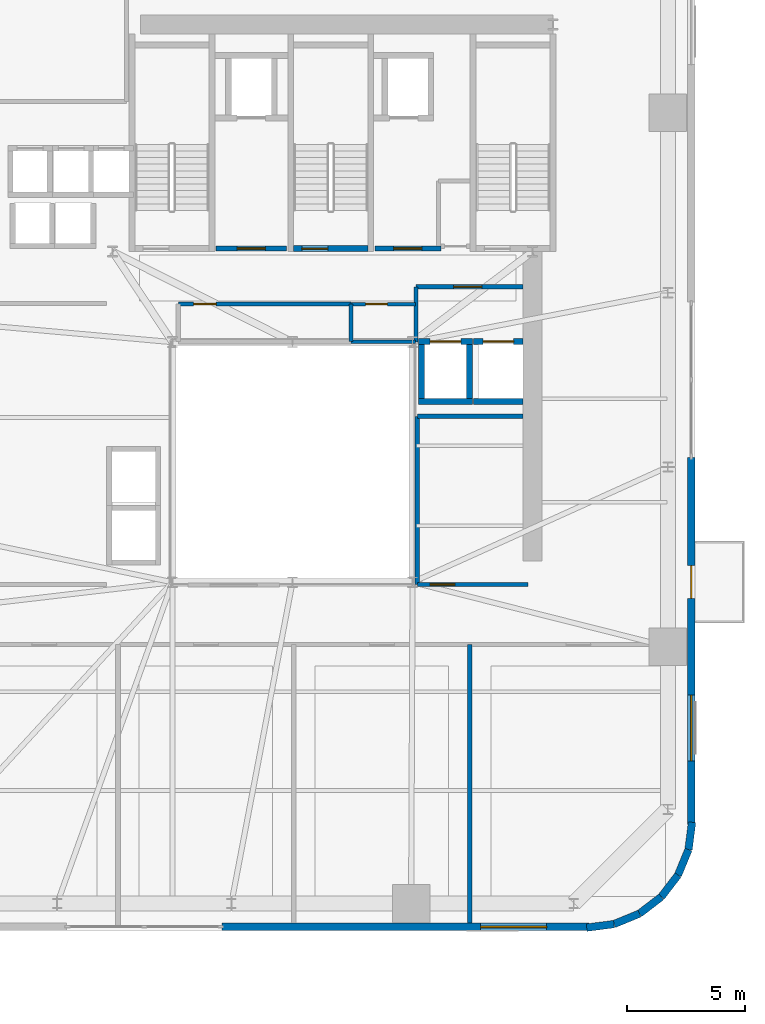
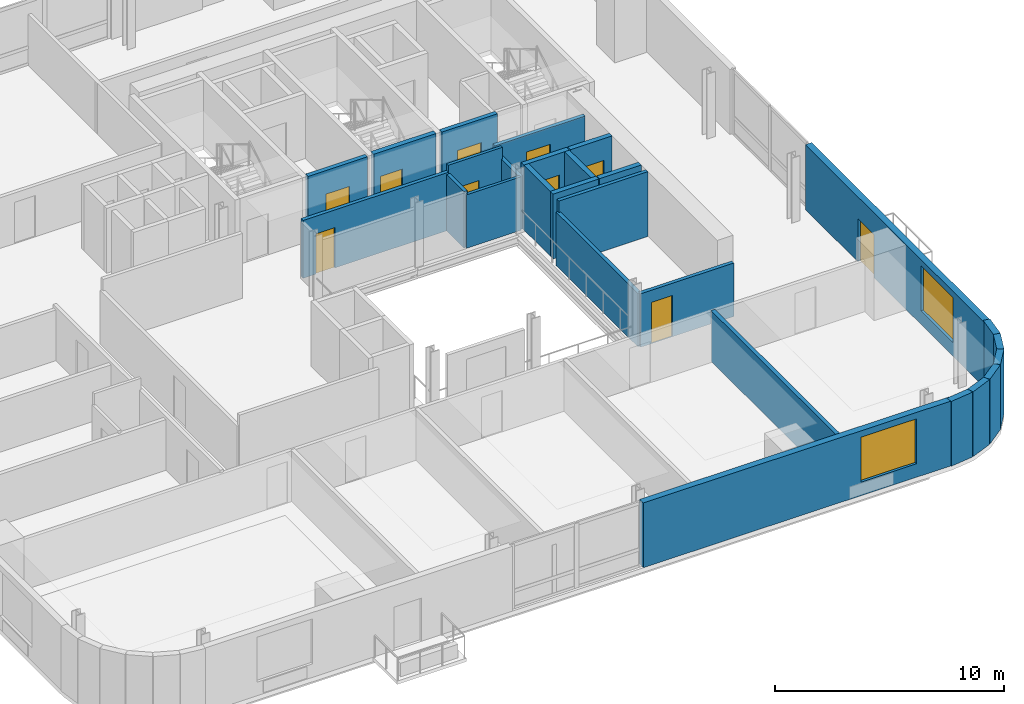
# One storey, part 7 of 12: 27 walls, 10 doors, 2 windows, 12 openings.
"""IFC4 building model written with IfcOpenShell, lengths in metres."""

from ifc_helpers import new_model, si_unit, direction, frame, frame_2d, origin, place, context, subcontext, project, spatial, rectangle, extrude, source, transform, mapped, material, layer, layer_set, type_object, element, fill, save


model = new_model("IFC4")

# Units and contexts
model_context = context("Model", 3, precision=1e-05, world=origin(), true_north=direction((0.0, 1.0)))
body_context = subcontext(model_context, "Body", "Model", "MODEL_VIEW")
ifc_project = project(units=[si_unit("LENGTHUNIT", "METRE"), si_unit("AREAUNIT", "SQUARE_METRE"), si_unit("VOLUMEUNIT", "CUBIC_METRE"), si_unit("PLANEANGLEUNIT", "RADIAN"), si_unit("MASSUNIT", "GRAM", prefix="KILO")], contexts=[model_context])

# Site, building, storey
site_placement = place(None, origin())
site = spatial("IfcSite", under=ifc_project, at=site_placement, CompositionType="ELEMENT")
building_placement = place(site_placement, origin())
building = spatial("IfcBuilding", under=site, at=building_placement, Name="Vardaveli Station Tower", CompositionType="ELEMENT")
storey_placement = place(building_placement, frame((0.0, 0.0, 118.699951171875)))
storey = spatial("IfcBuildingStorey", under=building, at=storey_placement, Name="L30", CompositionType="ELEMENT", Elevation=118.699951171875)

# Wall, opening, window
ifc_material_1 = material(Name="Precast concrete C45/55", Category="concrete")
ifc_layer_1 = layer(ifc_material_1, 0.320068359375, Name="Precast concrete C45/55")
ifc_layer_set_1 = layer_set([ifc_layer_1], Name="Precast concrete C45/55")
wall_type_1 = type_object("IfcWallType", Name="WAL-EXT-STONE-320", PredefinedType="SOLIDWALL", material=ifc_layer_set_1)
shared_shape_1 = source(origin(), body_context, "Body", "SweptSolid", [
    extrude(rectangle(XDim=15.599853515625, YDim=0.320068359375, at=frame_2d((7.7998046875, 0.0))), origin(), (0.0, 0.0, 1.0), 3.4599609375),
])
wall_1_placement = place(storey_placement, frame((33.300048828125, 1.9599609375, 0.0), z_axis=(0.0, 0.0, 1.0), x_axis=(1.0, 0.0, 0.0)))
wall_1 = element("IfcWall", 1, at=wall_1_placement, inside=storey, type_object=wall_type_1, Name="EW-L30-S2", PredefinedType="SOLIDWALL", context=body_context, shape_type="MappedRepresentation", body=[
    mapped(shared_shape_1, transform((0.0, 0.0, 0.0), scale=1.0)),
])
shared_shape_2 = source(origin(), body_context, "Body", "SweptSolid", [
    extrude(rectangle(XDim=2.800048828125, YDim=2.39990234375, at=frame_2d((1.39990234375, 1.199951171875))), frame((0.0, 0.169921875, 0.0), z_axis=(0.0, -1.0, 0.0), x_axis=(1.0, 0.0, 0.0)), (0.0, 0.0, 1.0), 0.340087890625),
])
opening_1_placement = place(wall_1_placement, frame((10.9951171875, 0.0, 0.719970703125)))
opening_1 = element("IfcOpeningElement", 2, at=opening_1_placement, cuts=wall_1, Name="Opening W-04", PredefinedType="OPENING", context=body_context, shape_type="MappedRepresentation", body=[
    mapped(shared_shape_2, transform((0.0, 0.0, 0.0), scale=1.0)),
])
ifc_material_2 = material(Name="Low-E solar-control glass", Category="glass")
window_type = type_object("IfcWindowType", Name="WIN-SUITE-2800x2400", PartitioningType="SINGLE_PANEL", PredefinedType="WINDOW", material=ifc_material_2)
shared_shape_3 = source(origin(), body_context, "Body", "SweptSolid", [
    extrude(rectangle(XDim=2.800048828125, YDim=2.39990234375, at=frame_2d((1.39990234375, 1.199951171875))), frame((0.0, 0.030029296875, 0.0), z_axis=(0.0, -1.0, 0.0), x_axis=(1.0, 0.0, 0.0)), (0.0, 0.0, 1.0), 0.06005859375),
])
window_1_placement = place(opening_1_placement, origin())
window_1 = element("IfcWindow", 3, at=window_1_placement, inside=storey, type_object=window_type, Name="WN-L30-S2", OverallHeight=2.39990234375, OverallWidth=2.800048828125, PartitioningType="SINGLE_PANEL", PredefinedType="WINDOW", context=body_context, shape_type="MappedRepresentation", body=[
    mapped(shared_shape_3, transform((0.0, 0.0, 0.0), scale=1.0)),
])
fill(opening_1, window_1)

# Wall, openings, door, window
wall_2_placement = place(storey_placement, frame((53.239990234375, 6.300048828125, 0.0), z_axis=(0.0, 0.0, 1.0), x_axis=(0.0, 1.0, 0.0)))
wall_2 = element("IfcWall", 4, at=wall_2_placement, inside=storey, type_object=wall_type_1, Name="EW-L30-E1", PredefinedType="SOLIDWALL", context=body_context, shape_type="MappedRepresentation", body=[
    mapped(shared_shape_1, transform((0.0, 0.0, 0.0), scale=1.0)),
])
shared_shape_4 = source(origin(), body_context, "Body", "SweptSolid", [
    extrude(rectangle(XDim=1.39990234375, YDim=2.300048828125, at=frame_2d((0.699951171875, 1.14990234375))), frame((0.0, 0.169921875, 0.0), z_axis=(0.0, -1.0, 0.0), x_axis=(1.0, 0.0, 0.0)), (0.0, 0.0, 1.0), 0.340087890625),
])
opening_2_placement = place(wall_2_placement, frame((9.6103515625, 0.0, 0.0)))
opening_2 = element("IfcOpeningElement", 5, at=opening_2_placement, cuts=wall_2, Name="Opening D-09", PredefinedType="OPENING", context=body_context, shape_type="MappedRepresentation", body=[
    mapped(shared_shape_4, transform((0.0, 0.0, 0.0), scale=1.0)),
])
opening_3_placement = place(wall_2_placement, frame((2.705078125, 0.0, 0.719970703125)))
opening_3 = element("IfcOpeningElement", 6, at=opening_3_placement, cuts=wall_2, Name="Opening W-04", PredefinedType="OPENING", context=body_context, shape_type="MappedRepresentation", body=[
    mapped(shared_shape_2, transform((0.0, 0.0, 0.0), scale=1.0)),
])
ifc_material_3 = material(Name="Thermally broken aluminium glass", Category="aluminium")
door_type_1 = type_object("IfcDoorType", Name="DR-LOG-1400x2300", OperationType="DOUBLE_DOOR_SLIDING", PredefinedType="DOOR", material=ifc_material_3)
shared_shape_5 = source(origin(), body_context, "Body", "SweptSolid", [
    extrude(rectangle(XDim=1.39990234375, YDim=2.300048828125, at=frame_2d((0.699951171875, 1.14990234375))), frame((0.0, 0.02490234375, 0.0), z_axis=(0.0, -1.0, 0.0), x_axis=(1.0, 0.0, 0.0)), (0.0, 0.0, 1.0), 0.050048828125),
])
door_1_placement = place(opening_2_placement, frame((1.39990234375, 0.0, 0.0), z_axis=(0.0, 0.0, 1.0), x_axis=(-1.0, 0.0, 0.0)))
door_1 = element("IfcDoor", 7, at=door_1_placement, inside=storey, type_object=door_type_1, Name="DLG-L30-E", OperationType="DOUBLE_DOOR_SLIDING", OverallHeight=2.300048828125, OverallWidth=1.39990234375, PredefinedType="DOOR", context=body_context, shape_type="MappedRepresentation", body=[
    mapped(shared_shape_5, transform((0.0, 0.0, 0.0), scale=1.0)),
])
fill(opening_2, door_1)
window_2_placement = place(opening_3_placement, origin())
window_2 = element("IfcWindow", 8, at=window_2_placement, inside=storey, type_object=window_type, Name="WN-L30-E1", OverallHeight=2.39990234375, OverallWidth=2.800048828125, PartitioningType="SINGLE_PANEL", PredefinedType="WINDOW", context=body_context, shape_type="MappedRepresentation", body=[
    mapped(shared_shape_3, transform((0.0, 0.0, 0.0), scale=1.0)),
])
fill(opening_3, window_2)

# Walls
shared_shape_6 = source(origin(), body_context, "Body", "SweptSolid", [
    extrude(rectangle(XDim=1.170654296875, YDim=0.320068359375, at=frame_2d((0.58544921875, 0.0))), origin(), (0.0, 0.0, 1.0), 3.4599609375),
])
wall_3_placement = place(storey_placement, frame((53.12548828125, 5.23974609375, 0.0), z_axis=(0.0, 0.0, 1.0), x_axis=(0.128269133229, 0.991739395941, 0.0)))
element("IfcWall", 9, at=wall_3_placement, inside=storey, type_object=wall_type_1, Name="EW-L30-CR2-6", PredefinedType="SOLIDWALL", context=body_context, shape_type="MappedRepresentation", body=[
    mapped(shared_shape_6, transform((0.0, 0.0, 0.0), scale=1.0)),
])
shared_shape_7 = source(origin(), body_context, "Body", "SweptSolid", [
    extrude(rectangle(XDim=1.1689453125, YDim=0.320068359375, at=frame_2d((0.58447265625, 0.0))), origin(), (0.0, 0.0, 1.0), 3.4599609375),
])
for number, where, z_axis, x_axis, name in (
    (10, (51.96875, 3.231201171875, 0.0), (0.0, 0.0, 1.0), (0.608387696831, 0.793639975269, 0.0), "EW-L30-CR2-4"),
    (11, (52.679931640625, 4.158935546875, 0.0), (0.0, 0.0, 1.0), (0.381127904695, 0.924522320046, 0.0), "EW-L30-CR2-5"),
):
    element("IfcWall", number, at=place(storey_placement, frame(where, z_axis=z_axis, x_axis=x_axis)), inside=storey, type_object=wall_type_1, Name=name, PredefinedType="SOLIDWALL", context=body_context, shape_type="MappedRepresentation", body=[
        mapped(shared_shape_7, transform((0.0, 0.0, 0.0), scale=1.0)),
    ])
shared_shape_8 = source(origin(), body_context, "Body", "SweptSolid", [
    extrude(rectangle(XDim=1.168701171875, YDim=0.320068359375, at=frame_2d((0.58447265625, 0.0))), origin(), (0.0, 0.0, 1.0), 3.4599609375),
])
wall_4_placement = place(storey_placement, frame((51.041259765625, 2.520263671875, 0.0), z_axis=(0.0, 0.0, 1.0), x_axis=(0.793663520347, 0.608356981114, 0.0)))
element("IfcWall", 12, at=wall_4_placement, inside=storey, type_object=wall_type_1, Name="EW-L30-CR2-3", PredefinedType="SOLIDWALL", context=body_context, shape_type="MappedRepresentation", body=[
    mapped(shared_shape_8, transform((0.0, 0.0, 0.0), scale=1.0)),
])
shared_shape_9 = source(origin(), body_context, "Body", "SweptSolid", [
    extrude(rectangle(XDim=1.16943359375, YDim=0.320068359375, at=frame_2d((0.584716796875, 0.0))), origin(), (0.0, 0.0, 1.0), 3.4599609375),
])
wall_5_placement = place(storey_placement, frame((49.960205078125, 2.074462890625, 0.0), z_axis=(0.0, 0.0, 1.0), x_axis=(0.924479075121, 0.381232789334, 0.0)))
element("IfcWall", 13, at=wall_5_placement, inside=storey, type_object=wall_type_1, Name="EW-L30-CR2-2", PredefinedType="SOLIDWALL", context=body_context, shape_type="MappedRepresentation", body=[
    mapped(shared_shape_9, transform((0.0, 0.0, 0.0), scale=1.0)),
])
shared_shape_10 = source(origin(), body_context, "Body", "SweptSolid", [
    extrude(rectangle(XDim=1.170166015625, YDim=0.320068359375, at=frame_2d((0.5849609375, 0.0))), origin(), (0.0, 0.0, 1.0), 3.4599609375),
])
wall_6_placement = place(storey_placement, frame((48.799560546875, 1.924560546875, 0.0), z_axis=(0.0, 0.0, 1.0), x_axis=(0.991762485493, 0.128090485085, 0.0)))
element("IfcWall", 14, at=wall_6_placement, inside=storey, type_object=wall_type_1, Name="EW-L30-CR2-1", PredefinedType="SOLIDWALL", context=body_context, shape_type="MappedRepresentation", body=[
    mapped(shared_shape_10, transform((0.0, 0.0, 0.0), scale=1.0)),
])

# Wall, opening, door
ifc_material_4 = material(Name="Concrete C40/50", Category="concrete")
ifc_layer_2 = layer(ifc_material_4, 0.25, Name="Concrete C40/50")
ifc_layer_set_2 = layer_set([ifc_layer_2], Name="Concrete C40/50")
wall_type_2 = type_object("IfcWallType", Name="WAL-SHAFT-250", PredefinedType="SOLIDWALL", material=ifc_layer_set_2)
shared_shape_11 = source(origin(), body_context, "Body", "SweptSolid", [
    extrude(rectangle(XDim=3.14990234375, YDim=0.25, at=frame_2d((1.574951171875, 0.0))), origin(), (0.0, 0.0, 1.0), 3.5),
])
wall_7_placement = place(storey_placement, frame((36.35009765625, 30.77490234375, 0.0), z_axis=(0.0, 0.0, 1.0), x_axis=(1.0, 0.0, 0.0)))
wall_7 = element("IfcWall", 15, at=wall_7_placement, inside=storey, type_object=wall_type_2, Name="W-L30-ST-2S", PredefinedType="SOLIDWALL", context=body_context, shape_type="MappedRepresentation", body=[
    mapped(shared_shape_11, transform((0.0, 0.0, 0.0), scale=1.0)),
])
shared_shape_12 = source(origin(), body_context, "Body", "SweptSolid", [
    extrude(rectangle(XDim=1.10009765625, YDim=2.199951171875, at=frame_2d((0.550048828125, 1.10009765625))), frame((0.0, 0.135009765625, 0.0), z_axis=(0.0, -1.0, 0.0), x_axis=(1.0, 0.0, 0.0)), (0.0, 0.0, 1.0), 0.27001953125),
])
opening_4_placement = place(wall_7_placement, frame((0.35009765625, 0.0, 0.0)))
opening_4 = element("IfcOpeningElement", 16, at=opening_4_placement, cuts=wall_7, Name="Opening D-04", PredefinedType="OPENING", context=body_context, shape_type="MappedRepresentation", body=[
    mapped(shared_shape_12, transform((0.0, 0.0, 0.0), scale=1.0)),
])
ifc_material_5 = material(Name="Steel smokeproof fire doorset", Category="steel")
door_type_2 = type_object("IfcDoorType", Name="DR-ST-1100x2200", OperationType="NOTDEFINED", PredefinedType="DOOR", material=ifc_material_5)
shared_shape_13 = source(origin(), body_context, "Body", "SweptSolid", [
    extrude(rectangle(XDim=1.10009765625, YDim=2.199951171875, at=frame_2d((0.550048828125, 1.10009765625))), frame((0.0, 0.02490234375, 0.0), z_axis=(0.0, -1.0, 0.0), x_axis=(1.0, 0.0, 0.0)), (0.0, 0.0, 1.0), 0.050048828125),
])
door_2_placement = place(opening_4_placement, origin())
door_2 = element("IfcDoor", 17, at=door_2_placement, inside=storey, type_object=door_type_2, Name="DST-2-L30", OperationType="SINGLE_SWING_LEFT", OverallHeight=2.199951171875, OverallWidth=1.10009765625, PredefinedType="DOOR", context=body_context, shape_type="MappedRepresentation", body=[
    mapped(shared_shape_13, transform((0.0, 0.0, 0.0), scale=1.0)),
])
fill(opening_4, door_2)

ifc_layer_3 = layer(ifc_material_4, 0.219970703125, Name="Concrete C40/50")
ifc_layer_set_3 = layer_set([ifc_layer_3], Name="Concrete C40/50")
wall_type_3 = type_object("IfcWallType", Name="WAL-FFLOBBY-220", PredefinedType="SOLIDWALL", material=ifc_layer_set_3)
shared_shape_14 = source(origin(), body_context, "Body", "SweptSolid", [
    extrude(rectangle(XDim=3.0, YDim=0.219970703125, at=frame_2d((1.5, 0.0))), origin(), (0.0, 0.0, 1.0), 3.4599609375),
])
wall_8_placement = place(storey_placement, frame((33.050048828125, 30.780029296875, 0.0), z_axis=(0.0, 0.0, 1.0), x_axis=(1.0, 0.0, 0.0)))
wall_8 = element("IfcWall", 18, at=wall_8_placement, inside=storey, type_object=wall_type_3, Name="W-L30-FFL1S", PredefinedType="SOLIDWALL", context=body_context, shape_type="MappedRepresentation", body=[
    mapped(shared_shape_14, transform((0.0, 0.0, 0.0), scale=1.0)),
])
shared_shape_15 = source(origin(), body_context, "Body", "SweptSolid", [
    extrude(rectangle(XDim=1.199951171875, YDim=2.199951171875, at=frame_2d((0.60009765625, 1.10009765625))), frame((0.0, 0.1201171875, 0.0), z_axis=(0.0, -1.0, 0.0), x_axis=(1.0, 0.0, 0.0)), (0.0, 0.0, 1.0), 0.239990234375),
])
opening_5_placement = place(wall_8_placement, frame((0.89990234375, 0.0, 0.0)))
opening_5 = element("IfcOpeningElement", 19, at=opening_5_placement, cuts=wall_8, Name="Opening D-03", PredefinedType="OPENING", context=body_context, shape_type="MappedRepresentation", body=[
    mapped(shared_shape_15, transform((0.0, 0.0, 0.0), scale=1.0)),
])
door_type_3 = type_object("IfcDoorType", Name="DR-FFL-1200x2200", OperationType="NOTDEFINED", PredefinedType="DOOR", material=ifc_material_5)
shared_shape_16 = source(origin(), body_context, "Body", "SweptSolid", [
    extrude(rectangle(XDim=1.199951171875, YDim=2.199951171875, at=frame_2d((0.60009765625, 1.10009765625))), frame((0.0, 0.02490234375, 0.0), z_axis=(0.0, -1.0, 0.0), x_axis=(1.0, 0.0, 0.0)), (0.0, 0.0, 1.0), 0.050048828125),
])
door_3_placement = place(opening_5_placement, origin())
door_3 = element("IfcDoor", 20, at=door_3_placement, inside=storey, type_object=door_type_3, Name="DFFL1-L30", OperationType="SINGLE_SWING_LEFT", OverallHeight=2.199951171875, OverallWidth=1.199951171875, PredefinedType="DOOR", context=body_context, shape_type="MappedRepresentation", body=[
    mapped(shared_shape_16, transform((0.0, 0.0, 0.0), scale=1.0)),
])
fill(opening_5, door_3)

shared_shape_17 = source(origin(), body_context, "Body", "SweptSolid", [
    extrude(rectangle(XDim=2.800048828125, YDim=0.219970703125, at=frame_2d((1.39990234375, 0.0))), origin(), (0.0, 0.0, 1.0), 3.4599609375),
])
wall_9_placement = place(storey_placement, frame((39.800048828125, 30.780029296875, 0.0), z_axis=(0.0, 0.0, 1.0), x_axis=(1.0, 0.0, 0.0)))
wall_9 = element("IfcWall", 21, at=wall_9_placement, inside=storey, type_object=wall_type_3, Name="W-L30-FFL2S", PredefinedType="SOLIDWALL", context=body_context, shape_type="MappedRepresentation", body=[
    mapped(shared_shape_17, transform((0.0, 0.0, 0.0), scale=1.0)),
])
opening_6_placement = place(wall_9_placement, frame((0.800048828125, 0.0, 0.0)))
opening_6 = element("IfcOpeningElement", 22, at=opening_6_placement, cuts=wall_9, Name="Opening D-03", PredefinedType="OPENING", context=body_context, shape_type="MappedRepresentation", body=[
    mapped(shared_shape_15, transform((0.0, 0.0, 0.0), scale=1.0)),
])
door_4_placement = place(opening_6_placement, origin())
door_4 = element("IfcDoor", 23, at=door_4_placement, inside=storey, type_object=door_type_3, Name="DFFL2-L30", OperationType="SINGLE_SWING_RIGHT", OverallHeight=2.199951171875, OverallWidth=1.199951171875, PredefinedType="DOOR", context=body_context, shape_type="MappedRepresentation", body=[
    mapped(shared_shape_16, transform((0.0, 0.0, 0.0), scale=1.0)),
])
fill(opening_6, door_4)

# Wall
shared_shape_18 = source(origin(), body_context, "Body", "SweptSolid", [
    extrude(rectangle(XDim=2.300048828125, YDim=0.25, at=frame_2d((1.14990234375, 0.0))), origin(), (0.0, 0.0, 1.0), 3.4599609375),
])
wall_10_placement = place(storey_placement, frame((41.64990234375, 24.27490234375, 0.0), z_axis=(0.0, 0.0, 1.0), x_axis=(1.0, 0.0, 0.0)))
element("IfcWall", 24, at=wall_10_placement, inside=storey, type_object=wall_type_2, Name="SHW-SRV-01-L30-S", PredefinedType="SOLIDWALL", context=body_context, shape_type="MappedRepresentation", body=[
    mapped(shared_shape_18, transform((0.0, 0.0, 0.0), scale=1.0)),
])

# Wall, opening, door
wall_11_placement = place(storey_placement, frame((41.64990234375, 26.824951171875, 0.0), z_axis=(0.0, 0.0, 1.0), x_axis=(1.0, 0.0, 0.0)))
wall_11 = element("IfcWall", 25, at=wall_11_placement, inside=storey, type_object=wall_type_2, Name="SHW-SRV-01-L30-N", PredefinedType="SOLIDWALL", context=body_context, shape_type="MappedRepresentation", body=[
    mapped(shared_shape_18, transform((0.0, 0.0, 0.0), scale=1.0)),
])
shared_shape_19 = source(origin(), body_context, "Body", "SweptSolid", [
    extrude(rectangle(XDim=1.300048828125, YDim=2.300048828125, at=frame_2d((0.64990234375, 1.14990234375))), frame((0.0, 0.135009765625, 0.0), z_axis=(0.0, -1.0, 0.0), x_axis=(1.0, 0.0, 0.0)), (0.0, 0.0, 1.0), 0.27001953125),
])
opening_7_placement = place(wall_11_placement, frame((0.5, 0.0, 0.0)))
opening_7 = element("IfcOpeningElement", 26, at=opening_7_placement, cuts=wall_11, Name="Opening LD-03", PredefinedType="OPENING", context=body_context, shape_type="MappedRepresentation", body=[
    mapped(shared_shape_19, transform((0.0, 0.0, 0.0), scale=1.0)),
])
ifc_material_6 = material(Name="Brushed stainless steel", Category="steel")
door_type_4 = type_object("IfcDoorType", Name="DR-LD-1300x2300", OperationType="DOUBLE_DOOR_SLIDING", PredefinedType="DOOR", material=ifc_material_6)
shared_shape_20 = source(origin(), body_context, "Body", "SweptSolid", [
    extrude(rectangle(XDim=1.300048828125, YDim=2.300048828125, at=frame_2d((0.64990234375, 1.14990234375))), frame((0.0, 0.02490234375, 0.0), z_axis=(0.0, -1.0, 0.0), x_axis=(1.0, 0.0, 0.0)), (0.0, 0.0, 1.0), 0.050048828125),
])
door_5_placement = place(opening_7_placement, origin())
door_5 = element("IfcDoor", 27, at=door_5_placement, inside=storey, type_object=door_type_4, Name="LD-SRV-01-L30", OperationType="DOUBLE_DOOR_SLIDING", OverallHeight=2.300048828125, OverallWidth=1.300048828125, PredefinedType="DOOR", context=body_context, shape_type="MappedRepresentation", body=[
    mapped(shared_shape_20, transform((0.0, 0.0, 0.0), scale=1.0)),
])
fill(opening_7, door_5)

# Walls
for number, where, z_axis, x_axis, name in (
    (28, (41.77490234375, 24.39990234375, 0.0), (0.0, 0.0, 1.0), (0.0, 1.0, 0.0), "SHW-SRV-01-L30-W"),
    (29, (43.824951171875, 24.39990234375, 0.0), (0.0, 0.0, 1.0), (0.0, 1.0, 0.0), "SHW-SRV-01-L30-E"),
):
    element("IfcWall", number, at=place(storey_placement, frame(where, z_axis=z_axis, x_axis=x_axis)), inside=storey, type_object=wall_type_2, Name=name, PredefinedType="SOLIDWALL", context=body_context, shape_type="MappedRepresentation", body=[
        mapped(shared_shape_18, transform((0.0, 0.0, 0.0), scale=1.0)),
    ])
shared_shape_21 = source(origin(), body_context, "Body", "SweptSolid", [
    extrude(rectangle(XDim=2.10009765625, YDim=0.25, at=frame_2d((1.050048828125, 0.0))), origin(), (0.0, 0.0, 1.0), 3.4599609375),
])
wall_12_placement = place(storey_placement, frame((44.0, 24.27490234375, 0.0), z_axis=(0.0, 0.0, 1.0), x_axis=(1.0, 0.0, 0.0)))
element("IfcWall", 30, at=wall_12_placement, inside=storey, type_object=wall_type_2, Name="SHW-SRV-02-L30-S", PredefinedType="SOLIDWALL", context=body_context, shape_type="MappedRepresentation", body=[
    mapped(shared_shape_21, transform((0.0, 0.0, 0.0), scale=1.0)),
])

# Wall, opening, door
wall_13_placement = place(storey_placement, frame((44.0, 26.824951171875, 0.0), z_axis=(0.0, 0.0, 1.0), x_axis=(1.0, 0.0, 0.0)))
wall_13 = element("IfcWall", 31, at=wall_13_placement, inside=storey, type_object=wall_type_2, Name="SHW-SRV-02-L30-N", PredefinedType="SOLIDWALL", context=body_context, shape_type="MappedRepresentation", body=[
    mapped(shared_shape_21, transform((0.0, 0.0, 0.0), scale=1.0)),
])
opening_8_placement = place(wall_13_placement, frame((0.39990234375, 0.0, 0.0)))
opening_8 = element("IfcOpeningElement", 32, at=opening_8_placement, cuts=wall_13, Name="Opening LD-03", PredefinedType="OPENING", context=body_context, shape_type="MappedRepresentation", body=[
    mapped(shared_shape_19, transform((0.0, 0.0, 0.0), scale=1.0)),
])
door_6_placement = place(opening_8_placement, origin())
door_6 = element("IfcDoor", 33, at=door_6_placement, inside=storey, type_object=door_type_4, Name="LD-SRV-02-L30", OperationType="DOUBLE_DOOR_SLIDING", OverallHeight=2.300048828125, OverallWidth=1.300048828125, PredefinedType="DOOR", context=body_context, shape_type="MappedRepresentation", body=[
    mapped(shared_shape_20, transform((0.0, 0.0, 0.0), scale=1.0)),
])
fill(opening_8, door_6)

ifc_material_7 = material(Name="Fire-rated gypsum stud partition")
ifc_layer_4 = layer(ifc_material_7, 0.179931640625, Name="Fire-rated gypsum stud partition")
ifc_layer_set_4 = layer_set([ifc_layer_4], Name="Fire-rated gypsum stud partition")
wall_type_4 = type_object("IfcWallType", Name="WAL-CORR-180", PredefinedType="PARTITIONING", material=ifc_layer_set_4)
shared_shape_22 = source(origin(), body_context, "Body", "SweptSolid", [
    extrude(rectangle(XDim=4.5478515625, YDim=0.179931640625, at=frame_2d((2.27392578125, 0.0))), origin(), (0.0, 0.0, 1.0), 3.092041015625),
])
wall_14_placement = place(storey_placement, frame((41.550048828125, 29.14990234375, 0.0), z_axis=(0.0, 0.0, 1.0), x_axis=(1.0, 0.0, 0.0)))
wall_14 = element("IfcWall", 34, at=wall_14_placement, inside=storey, type_object=wall_type_4, Name="W-L30-SVFN", PredefinedType="PARTITIONING", context=body_context, shape_type="MappedRepresentation", body=[
    mapped(shared_shape_22, transform((0.0, 0.0, 0.0), scale=1.0)),
])
shared_shape_23 = source(origin(), body_context, "Body", "SweptSolid", [
    extrude(rectangle(XDim=1.199951171875, YDim=2.199951171875, at=frame_2d((0.60009765625, 1.10009765625))), frame((0.0, 0.10009765625, 0.0), z_axis=(0.0, -1.0, 0.0), x_axis=(1.0, 0.0, 0.0)), (0.0, 0.0, 1.0), 0.199951171875),
])
opening_9_placement = place(wall_14_placement, frame((1.60009765625, 0.0, 0.0)))
opening_9 = element("IfcOpeningElement", 35, at=opening_9_placement, cuts=wall_14, Name="Opening D-03", PredefinedType="OPENING", context=body_context, shape_type="MappedRepresentation", body=[
    mapped(shared_shape_23, transform((0.0, 0.0, 0.0), scale=1.0)),
])
door_7_placement = place(opening_9_placement, origin())
door_7 = element("IfcDoor", 36, at=door_7_placement, inside=storey, type_object=door_type_3, Name="D-L30-SVF", OperationType="SINGLE_SWING_LEFT", OverallHeight=2.199951171875, OverallWidth=1.199951171875, PredefinedType="DOOR", context=body_context, shape_type="MappedRepresentation", body=[
    mapped(shared_shape_16, transform((0.0, 0.0, 0.0), scale=1.0)),
])
fill(opening_9, door_7)

shared_shape_24 = source(origin(), body_context, "Body", "SweptSolid", [
    extrude(rectangle(XDim=4.699951171875, YDim=0.179931640625, at=frame_2d((2.35009765625, 0.0))), origin(), (0.0, 0.0, 1.0), 2.85205078125),
])
wall_15_placement = place(storey_placement, frame((41.60009765625, 16.5, 0.0), z_axis=(0.0, 0.0, 1.0), x_axis=(1.0, 0.0, 0.0)))
wall_15 = element("IfcWall", 37, at=wall_15_placement, inside=storey, type_object=wall_type_4, Name="W-L30-ATE-S", PredefinedType="PARTITIONING", context=body_context, shape_type="MappedRepresentation", body=[
    mapped(shared_shape_24, transform((0.0, 0.0, 0.0), scale=1.0)),
])
shared_shape_25 = source(origin(), body_context, "Body", "SweptSolid", [
    extrude(rectangle(XDim=1.050048828125, YDim=2.199951171875, at=frame_2d((0.52490234375, 1.10009765625))), frame((0.0, 0.10009765625, 0.0), z_axis=(0.0, -1.0, 0.0), x_axis=(1.0, 0.0, 0.0)), (0.0, 0.0, 1.0), 0.199951171875),
])
opening_10_placement = place(wall_15_placement, frame((0.550048828125, 0.0, 0.0)))
opening_10 = element("IfcOpeningElement", 38, at=opening_10_placement, cuts=wall_15, Name="Opening D-05", PredefinedType="OPENING", context=body_context, shape_type="MappedRepresentation", body=[
    mapped(shared_shape_25, transform((0.0, 0.0, 0.0), scale=1.0)),
])
ifc_material_8 = material(Name="Walnut veneer acoustic fire door")
door_type_5 = type_object("IfcDoorType", Name="DR-SUITE-1050x2200", OperationType="NOTDEFINED", PredefinedType="DOOR", material=ifc_material_8)
shared_shape_26 = source(origin(), body_context, "Body", "SweptSolid", [
    extrude(rectangle(XDim=1.050048828125, YDim=2.199951171875, at=frame_2d((0.52490234375, 1.10009765625))), frame((0.0, 0.02490234375, 0.0), z_axis=(0.0, -1.0, 0.0), x_axis=(1.0, 0.0, 0.0)), (0.0, 0.0, 1.0), 0.050048828125),
])
door_8_placement = place(opening_10_placement, origin())
door_8 = element("IfcDoor", 39, at=door_8_placement, inside=storey, type_object=door_type_5, Name="D-L30-ATE1", OperationType="SINGLE_SWING_RIGHT", OverallHeight=2.199951171875, OverallWidth=1.050048828125, PredefinedType="DOOR", context=body_context, shape_type="MappedRepresentation", body=[
    mapped(shared_shape_26, transform((0.0, 0.0, 0.0), scale=1.0)),
])
fill(opening_10, door_8)

# Walls
shared_shape_27 = source(origin(), body_context, "Body", "SweptSolid", [
    extrude(rectangle(XDim=7.14990234375, YDim=0.179931640625, at=frame_2d((3.574951171875, 0.0))), origin(), (0.0, 0.0, 1.0), 2.85205078125),
])
wall_16_placement = place(storey_placement, frame((41.60009765625, 16.5, 0.0), z_axis=(0.0, 0.0, 1.0), x_axis=(0.0, 1.0, 0.0)))
element("IfcWall", 40, at=wall_16_placement, inside=storey, type_object=wall_type_4, Name="W-L30-ATE-W", PredefinedType="PARTITIONING", context=body_context, shape_type="MappedRepresentation", body=[
    mapped(shared_shape_27, transform((0.0, 0.0, 0.0), scale=1.0)),
])
shared_shape_28 = source(origin(), body_context, "Body", "SweptSolid", [
    extrude(rectangle(XDim=4.497802734375, YDim=0.179931640625, at=frame_2d((2.2490234375, 0.0))), origin(), (0.0, 0.0, 1.0), 3.4599609375),
])
wall_17_placement = place(storey_placement, frame((41.60009765625, 23.64990234375, 0.0), z_axis=(0.0, 0.0, 1.0), x_axis=(1.0, 0.0, 0.0)))
element("IfcWall", 41, at=wall_17_placement, inside=storey, type_object=wall_type_4, Name="W-L30-ATE-N", PredefinedType="PARTITIONING", context=body_context, shape_type="MappedRepresentation", body=[
    mapped(shared_shape_28, transform((0.0, 0.0, 0.0), scale=1.0)),
])
shared_shape_29 = source(origin(), body_context, "Body", "SweptSolid", [
    extrude(rectangle(XDim=2.349853515625, YDim=0.179931640625, at=frame_2d((1.1748046875, 0.0))), origin(), (0.0, 0.0, 1.0), 2.85205078125),
])
wall_18_placement = place(storey_placement, frame((41.550048828125, 26.800048828125, 0.0), z_axis=(0.0, 0.0, 1.0), x_axis=(0.0, 1.0, 0.0)))
element("IfcWall", 42, at=wall_18_placement, inside=storey, type_object=wall_type_4, Name="W-L30-SVFW", PredefinedType="PARTITIONING", context=body_context, shape_type="MappedRepresentation", body=[
    mapped(shared_shape_29, transform((0.0, 0.0, 0.0), scale=1.0)),
])
shared_shape_30 = source(origin(), body_context, "Body", "SweptSolid", [
    extrude(rectangle(XDim=1.599853515625, YDim=0.179931640625, at=frame_2d((0.7998046875, 0.0))), origin(), (0.0, 0.0, 1.0), 3.001953125),
])
wall_19_placement = place(storey_placement, frame((38.780029296875, 26.820068359375, 0.0), z_axis=(0.0, 0.0, 1.0), x_axis=(0.0, 1.0, 0.0)))
element("IfcWall", 43, at=wall_19_placement, inside=storey, type_object=wall_type_4, Name="W-L30-HKP0-E", PredefinedType="PARTITIONING", context=body_context, shape_type="MappedRepresentation", body=[
    mapped(shared_shape_30, transform((0.0, 0.0, 0.0), scale=1.0)),
])

# Wall, opening, door
shared_shape_31 = source(origin(), body_context, "Body", "SweptSolid", [
    extrude(rectangle(XDim=7.330078125, YDim=0.179931640625, at=frame_2d((3.6650390625, 0.0))), origin(), (0.0, 0.0, 1.0), 3.092041015625),
])
wall_20_placement = place(storey_placement, frame((31.449951171875, 28.419921875, 0.0), z_axis=(0.0, 0.0, 1.0), x_axis=(1.0, 0.0, 0.0)))
wall_20 = element("IfcWall", 44, at=wall_20_placement, inside=storey, type_object=wall_type_4, Name="W-L30-HKP0-N", PredefinedType="PARTITIONING", context=body_context, shape_type="MappedRepresentation", body=[
    mapped(shared_shape_31, transform((0.0, 0.0, 0.0), scale=1.0)),
])
shared_shape_32 = source(origin(), body_context, "Body", "SweptSolid", [
    extrude(rectangle(XDim=0.949951171875, YDim=2.14990234375, at=frame_2d((0.47509765625, 1.074951171875))), frame((0.0, 0.10009765625, 0.0), z_axis=(0.0, -1.0, 0.0), x_axis=(1.0, 0.0, 0.0)), (0.0, 0.0, 1.0), 0.199951171875),
])
opening_11_placement = place(wall_20_placement, frame((0.64990234375, 0.0, 0.0)))
opening_11 = element("IfcOpeningElement", 45, at=opening_11_placement, cuts=wall_20, Name="Opening D-06", PredefinedType="OPENING", context=body_context, shape_type="MappedRepresentation", body=[
    mapped(shared_shape_32, transform((0.0, 0.0, 0.0), scale=1.0)),
])
ifc_material_9 = material(Name="Oak veneer acoustic fire door")
door_type_6 = type_object("IfcDoorType", Name="DR-GUEST-950x2150", OperationType="NOTDEFINED", PredefinedType="DOOR", material=ifc_material_9)
shared_shape_33 = source(origin(), body_context, "Body", "SweptSolid", [
    extrude(rectangle(XDim=0.949951171875, YDim=2.14990234375, at=frame_2d((0.47509765625, 1.074951171875))), frame((0.0, 0.02490234375, 0.0), z_axis=(0.0, -1.0, 0.0), x_axis=(1.0, 0.0, 0.0)), (0.0, 0.0, 1.0), 0.050048828125),
])
door_9_placement = place(opening_11_placement, origin())
door_9 = element("IfcDoor", 46, at=door_9_placement, inside=storey, type_object=door_type_6, Name="D-L30-HKP", OperationType="SINGLE_SWING_LEFT", OverallHeight=2.14990234375, OverallWidth=0.949951171875, PredefinedType="DOOR", context=body_context, shape_type="MappedRepresentation", body=[
    mapped(shared_shape_33, transform((0.0, 0.0, 0.0), scale=1.0)),
])
fill(opening_11, door_9)

ifc_material_10 = material(Name="Moisture-resistant stud partition")
ifc_layer_5 = layer(ifc_material_10, 0.14990234375, Name="Moisture-resistant stud partition")
ifc_layer_set_5 = layer_set([ifc_layer_5], Name="Moisture-resistant stud partition")
wall_type_5 = type_object("IfcWallType", Name="WAL-WET-150", PredefinedType="PARTITIONING", material=ifc_layer_set_5)
shared_shape_34 = source(origin(), body_context, "Body", "SweptSolid", [
    extrude(rectangle(XDim=2.739990234375, YDim=0.14990234375, at=frame_2d((1.3701171875, 0.0))), origin(), (0.0, 0.0, 1.0), 3.4599609375),
])
wall_21_placement = place(storey_placement, frame((38.780029296875, 28.419921875, 0.0), z_axis=(0.0, 0.0, 1.0), x_axis=(1.0, 0.0, 0.0)))
wall_21 = element("IfcWall", 47, at=wall_21_placement, inside=storey, type_object=wall_type_5, Name="W-L30-WCA0-N", PredefinedType="PARTITIONING", context=body_context, shape_type="MappedRepresentation", body=[
    mapped(shared_shape_34, transform((0.0, 0.0, 0.0), scale=1.0)),
])
shared_shape_35 = source(origin(), body_context, "Body", "SweptSolid", [
    extrude(rectangle(XDim=0.919921875, YDim=2.10009765625, at=frame_2d((0.4599609375, 1.050048828125))), frame((0.0, 0.0849609375, 0.0), z_axis=(0.0, -1.0, 0.0), x_axis=(1.0, 0.0, 0.0)), (0.0, 0.0, 1.0), 0.169921875),
])
opening_12_placement = place(wall_21_placement, frame((0.6298828125, 0.0, 0.0)))
opening_12 = element("IfcOpeningElement", 48, at=opening_12_placement, cuts=wall_21, Name="Opening D-07", PredefinedType="OPENING", context=body_context, shape_type="MappedRepresentation", body=[
    mapped(shared_shape_35, transform((0.0, 0.0, 0.0), scale=1.0)),
])
ifc_material_11 = material(Name="Moisture-resistant hardwood door", Category="wood")
door_type_7 = type_object("IfcDoorType", Name="DR-WC-920x2100", OperationType="NOTDEFINED", PredefinedType="DOOR", material=ifc_material_11)
shared_shape_36 = source(origin(), body_context, "Body", "SweptSolid", [
    extrude(rectangle(XDim=0.919921875, YDim=2.10009765625, at=frame_2d((0.4599609375, 1.050048828125))), frame((0.0, 0.02490234375, 0.0), z_axis=(0.0, -1.0, 0.0), x_axis=(1.0, 0.0, 0.0)), (0.0, 0.0, 1.0), 0.050048828125),
])
door_10_placement = place(opening_12_placement, origin())
door_10 = element("IfcDoor", 49, at=door_10_placement, inside=storey, type_object=door_type_7, Name="D-L30-WCA", OperationType="SINGLE_SWING_LEFT", OverallHeight=2.10009765625, OverallWidth=0.919921875, PredefinedType="DOOR", context=body_context, shape_type="MappedRepresentation", body=[
    mapped(shared_shape_36, transform((0.0, 0.0, 0.0), scale=1.0)),
])
fill(opening_12, door_10)

# Walls
ifc_material_12 = material(Name="Acoustic twin-stud gypsum partition")
ifc_layer_6 = layer(ifc_material_12, 0.199951171875, Name="Acoustic twin-stud gypsum partition")
ifc_layer_set_6 = layer_set([ifc_layer_6], Name="Acoustic twin-stud gypsum partition")
wall_type_6 = type_object("IfcWallType", Name="WAL-PARTY-200", PredefinedType="PARTITIONING", material=ifc_layer_set_6)
shared_shape_37 = source(origin(), body_context, "Body", "SweptSolid", [
    extrude(rectangle(XDim=11.827880859375, YDim=0.199951171875, at=frame_2d((5.9140625, 0.0))), origin(), (0.0, 0.0, 1.0), 2.7021484375),
])
wall_22_placement = place(storey_placement, frame((43.830078125, 2.1220703125, 0.0), z_axis=(0.0, 0.0, 1.0), x_axis=(0.0, 1.0, 0.0)))
element("IfcWall", 50, at=wall_22_placement, inside=storey, type_object=wall_type_6, Name="W-L30-PS4", PredefinedType="PARTITIONING", context=body_context, shape_type="MappedRepresentation", body=[
    mapped(shared_shape_37, transform((0.0, 0.0, 0.0), scale=1.0)),
])
shared_shape_38 = source(origin(), body_context, "Body", "SweptSolid", [
    extrude(rectangle(XDim=2.739990234375, YDim=0.14990234375, at=frame_2d((1.3701171875, 0.0))), origin(), (0.0, 0.0, 1.0), 2.85205078125),
])
wall_23_placement = place(storey_placement, frame((38.780029296875, 26.820068359375, 0.0), z_axis=(0.0, 0.0, 1.0), x_axis=(1.0, 0.0, 0.0)))
element("IfcWall", 51, at=wall_23_placement, inside=storey, type_object=wall_type_5, Name="W-L30-WCA0-S", PredefinedType="PARTITIONING", context=body_context, shape_type="MappedRepresentation", body=[
    mapped(shared_shape_38, transform((0.0, 0.0, 0.0), scale=1.0)),
])

save(model, "model.ifc")
